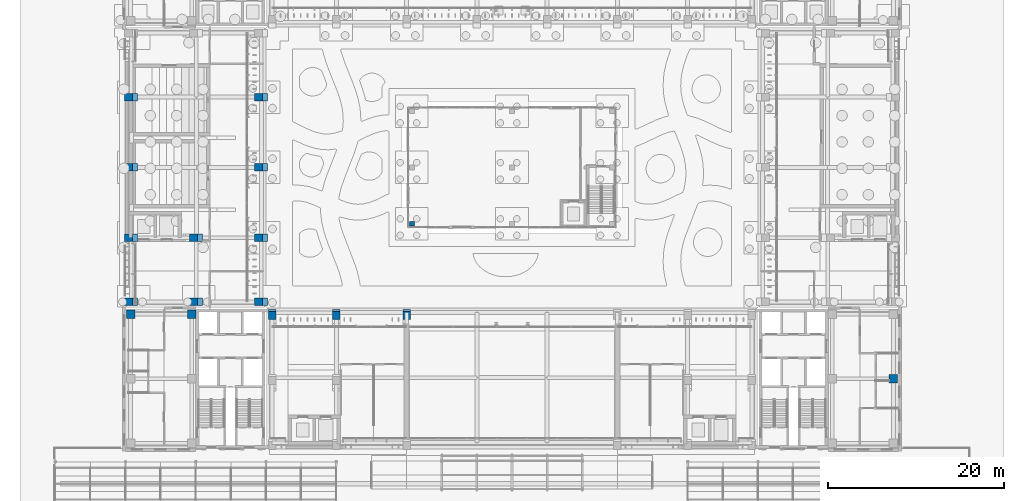
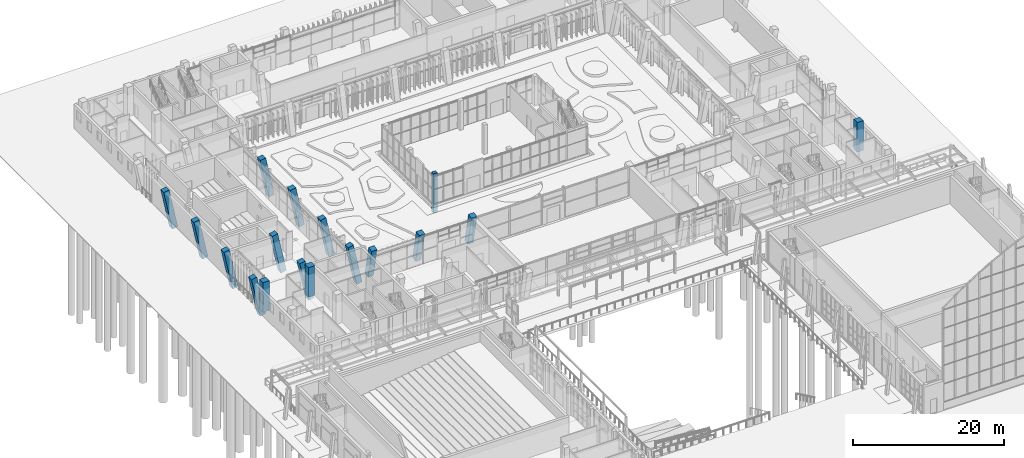
# One storey, part 20 of 144: 17 columns.
"""IFC4 building model written with IfcOpenShell, lengths in metres."""

from ifc_helpers import new_model, si_unit, direction, frame, origin, origin_2d, place, context, subcontext, project, spatial, rectangle, extrude, material, material_profile, profile_set, type_object, element, save


model = new_model("IFC4")

# Units and contexts
model_context = context("Model", 3, precision=1e-05, world=origin(), true_north=direction((0.0, 1.0)))
body_context = subcontext(model_context, "Body", "Model", "MODEL_VIEW")
ifc_project = project(units=[si_unit("LENGTHUNIT", "METRE"), si_unit("AREAUNIT", "SQUARE_METRE"), si_unit("VOLUMEUNIT", "CUBIC_METRE"), si_unit("PLANEANGLEUNIT", "RADIAN"), si_unit("MASSUNIT", "GRAM", prefix="KILO")], contexts=[model_context])

# Site, building, storey
site_placement = place(None, origin())
site = spatial("IfcSite", under=ifc_project, at=site_placement, CompositionType="ELEMENT")
building_placement = place(site_placement, origin())
building = spatial("IfcBuilding", under=site, at=building_placement, Name="Lantern Court Media Centre", CompositionType="ELEMENT")
storey_placement = place(building_placement, origin())
storey = spatial("IfcBuildingStorey", under=building, at=storey_placement, Name="L00", CompositionType="ELEMENT", Elevation=0.0)

# Columns
ifc_material = material(Name="Concrete C35", Category="concrete")
ifc_material_profile_1 = material_profile(ifc_material, rectangle(XDim=0.550048828125, YDim=0.550048828125, at=origin_2d()), Name="RC 550x550")
ifc_profile_set_1 = profile_set([ifc_material_profile_1], Name="Concrete C35")
column_type_1 = type_object("IfcColumnType", Name="RC COLUMN 550x550", PredefinedType="COLUMN", material=ifc_profile_set_1)
column_placement = place(storey_placement, frame((40.60009765625, 73.60009765625, -1.60009765625), z_axis=(0.0, 0.0, 1.0), x_axis=(1.0, 0.0, 0.0)))
element("IfcColumn", 1, at=column_placement, inside=storey, type_object=column_type_1, Name="C-PRESS-00-L00", PredefinedType="COLUMN", context=body_context, shape_type="SweptSolid", body=[
    extrude(rectangle(XDim=0.550048828125, YDim=0.550048828125, at=origin_2d()), origin(), (0.0, 0.0, 1.0), 6.400146484375),
])
ifc_material_profile_2 = material_profile(ifc_material, rectangle(XDim=0.85009765625, YDim=0.85009765625, at=origin_2d()), Name="RC 850x850")
ifc_profile_set_2 = profile_set([ifc_material_profile_2], Name="Concrete C35")
column_type_2 = type_object("IfcColumnType", Name="RC COLUMN 850x850", PredefinedType="COLUMN", material=ifc_profile_set_2)
for number, where, z_axis, x_axis, name in (
    (2, (24.699951171875, 63.39990234375, 0.0), (0.0, -0.203952265704, 0.978980833987), (1.0, 0.0, 0.0), "C-S-2-0-L00"),
    (3, (32.0, 63.39990234375, 0.0), (0.0, -0.203952265704, 0.978980833987), (1.0, 0.0, 0.0), "C-S-2-1-L00"),
    (4, (40.0, 63.39990234375, 0.0), (0.0, -0.203952265704, 0.978980833987), (1.0, 0.0, 0.0), "C-S-2-2-L00"),
):
    element("IfcColumn", number, at=place(storey_placement, frame(where, z_axis=z_axis, x_axis=x_axis)), inside=storey, type_object=column_type_2, Name=name, PredefinedType="COLUMN", context=body_context, shape_type="SweptSolid", body=[
        extrude(rectangle(XDim=0.85009765625, YDim=0.85009765625, at=origin_2d()), origin(), (0.0, 0.0, 1.0), 4.903076171875),
    ])
for number, where, z_axis, x_axis, name in (
    (5, (8.933349609375, 64.699951171875, -1.60009765625), (-0.203937849881, 0.0, 0.978983837142), (0.0, -1.0, 0.0), "C-W-0-0-L00"),
    (6, (8.933349609375, 72.0, -1.60009765625), (-0.203937849881, 0.0, 0.978983837142), (0.0, -1.0, 0.0), "C-W-0-1-L00"),
    (7, (8.933349609375, 80.0, -1.60009765625), (-0.203937849881, 0.0, 0.978983837142), (0.0, -1.0, 0.0), "C-W-0-2-L00"),
    (8, (8.933349609375, 88.0, -1.60009765625), (-0.203937849881, 0.0, 0.978983837142), (0.0, -1.0, 0.0), "C-W-0-3-L00"),
    (9, (16.333251953125, 64.699951171875, -1.60009765625), (-0.203937849881, 0.0, 0.978983837142), (0.0, -1.0, 0.0), "C-W-1-0-L00"),
    (10, (16.333251953125, 72.0, -1.60009765625), (-0.203937849881, 0.0, 0.978983837142), (0.0, -1.0, 0.0), "C-W-1-1-L00"),
    (11, (23.7333984375, 64.699951171875, -1.60009765625), (-0.203973640709, 0.0, 0.978976380663), (0.0, -1.0, 0.0), "C-W-2-0-L00"),
    (12, (23.7333984375, 72.0, -1.60009765625), (-0.203973640709, 0.0, 0.978976380663), (0.0, -1.0, 0.0), "C-W-2-1-L00"),
    (13, (23.7333984375, 80.0, -1.60009765625), (-0.203973640709, 0.0, 0.978976380663), (0.0, -1.0, 0.0), "C-W-2-2-L00"),
    (14, (23.7333984375, 88.0, -1.60009765625), (-0.203973640709, 0.0, 0.978976380663), (0.0, -1.0, 0.0), "C-W-2-3-L00"),
):
    element("IfcColumn", number, at=place(storey_placement, frame(where, z_axis=z_axis, x_axis=x_axis)), inside=storey, type_object=column_type_2, Name=name, PredefinedType="COLUMN", context=body_context, shape_type="SweptSolid", body=[
        extrude(rectangle(XDim=0.85009765625, YDim=0.85009765625, at=origin_2d()), origin(), (0.0, 0.0, 1.0), 6.53759765625),
    ])
ifc_material_profile_3 = material_profile(ifc_material, rectangle(XDim=0.949951171875, YDim=0.949951171875, at=origin_2d()), Name="RC 950x950")
ifc_profile_set_3 = profile_set([ifc_material_profile_3], Name="Concrete C35")
column_type_3 = type_object("IfcColumnType", Name="RC COLUMN 950x950", PredefinedType="COLUMN", material=ifc_profile_set_3)
for number, where, z_axis, x_axis, name in (
    (15, (8.60009765625, 63.300048828125, 0.0), (0.0, 0.0, 1.0), (1.0, 0.0, 0.0), "C-SW-2-L00"),
    (16, (15.550048828125, 63.300048828125, 0.0), (0.0, 0.0, 1.0), (1.0, 0.0, 0.0), "C-SW-5-L00"),
    (17, (95.39990234375, 55.949951171875, 0.0), (0.0, 0.0, 1.0), (1.0, 0.0, 0.0), "C-SE-4-L00"),
):
    element("IfcColumn", number, at=place(storey_placement, frame(where, z_axis=z_axis, x_axis=x_axis)), inside=storey, type_object=column_type_3, Name=name, PredefinedType="COLUMN", context=body_context, shape_type="SweptSolid", body=[
        extrude(rectangle(XDim=0.949951171875, YDim=0.949951171875, at=origin_2d()), origin(), (0.0, 0.0, 1.0), 4.800048828125),
    ])

save(model, "model.ifc")
